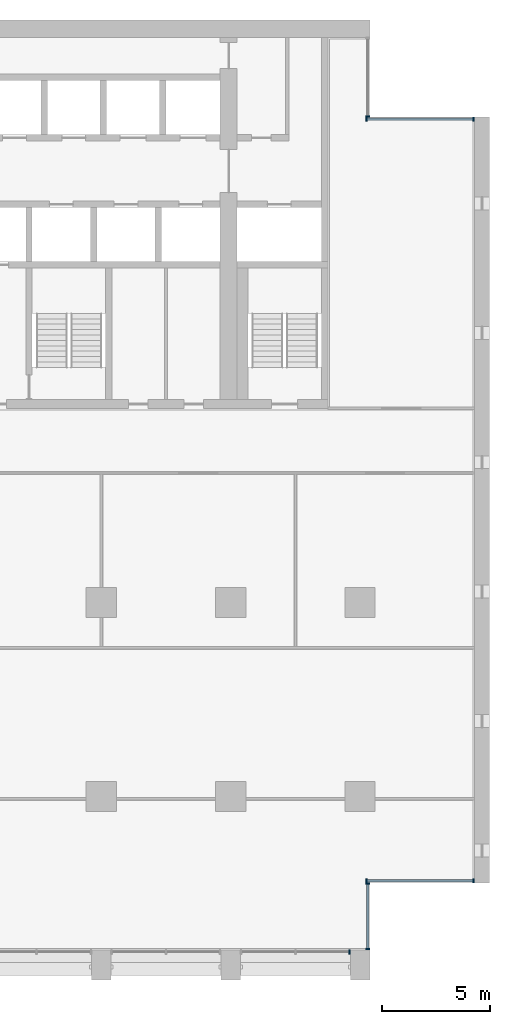
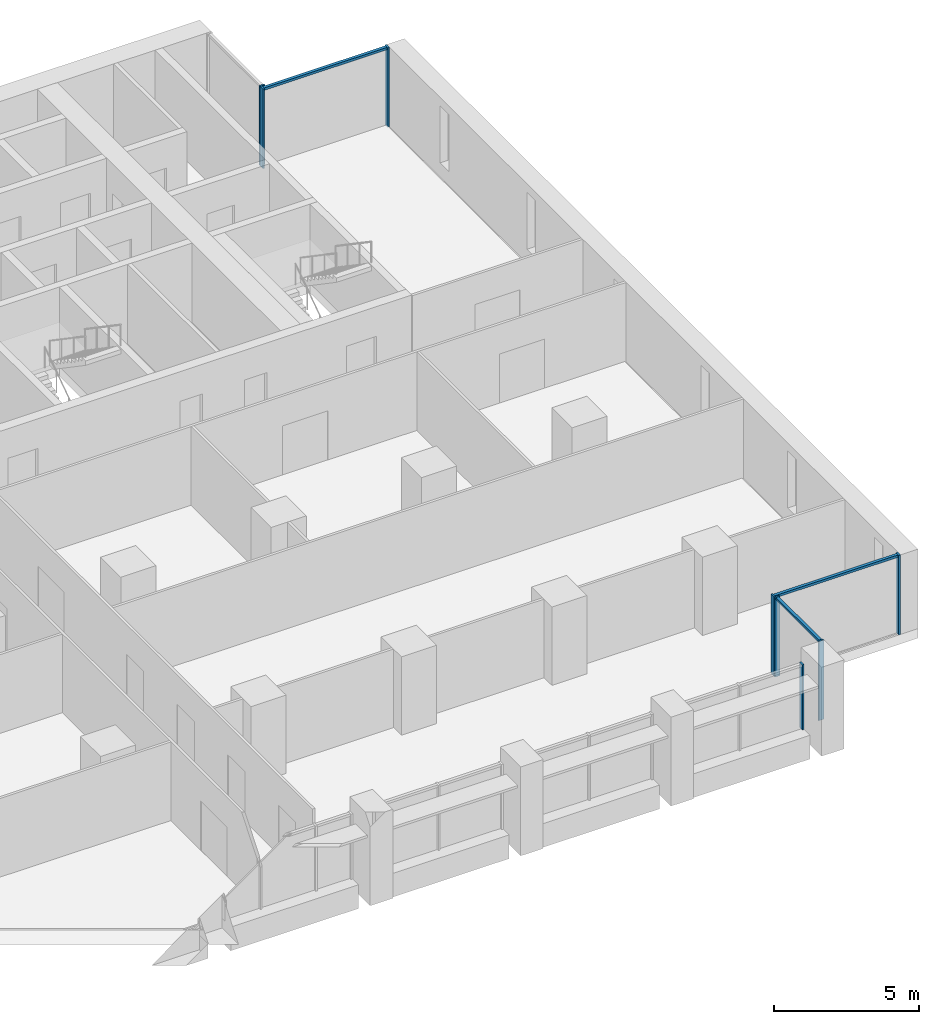
# One storey, part 5 of 17: 11 members, 5 elements without a shape of their own.
"""IFC4 building model written with IfcOpenShell, lengths in metres."""

import ifcopenshell
import ifcopenshell.guid

model = None  # the IFC model being written
_history = None  # IfcOwnerHistory: only IFC2X3 demands one
_inside = {}  # id of a spatial element -> (the spatial element, [elements in it])
_under = {}  # id of a project, library or spatial element -> (it, [spatial elements below it])
_declared = {}  # id of a project -> (the project, [libraries it declares])
_typed = {}  # id of a type object -> (the type object, [elements of that type])
_made_of = {}  # id of a material, layer set ... -> (it, [elements and type objects made of it])


def new_model(schema):
    """Start an empty IFC model of exactly this schema.

    Asked for "IFC4X3", IfcOpenShell would pick the latest addendum, in which some entities
    have other attributes; the version numbers below select the first issue.
    IFC2X3 requires an IfcOwnerHistory on every rooted entity: one is made here for all.
    """
    global model, _history
    if schema == "IFC4X3":
        model = ifcopenshell.file(schema_version=(4, 3, 0, 0))
    else:
        model = ifcopenshell.file(schema=schema)
    _inside.clear()
    _under.clear()
    _declared.clear()
    _typed.clear()
    _made_of.clear()
    _history = None
    if model.schema == "IFC2X3":
        org = make("IfcOrganization", Name="unknown")
        user = make(
            "IfcPersonAndOrganization",
            ThePerson=make("IfcPerson", FamilyName="unknown"),
            TheOrganization=org,
        )
        app = make(
            "IfcApplication",
            ApplicationDeveloper=org,
            Version="unknown",
            ApplicationFullName="unknown",
            ApplicationIdentifier="unknown",
        )
        _history = make(
            "IfcOwnerHistory",
            OwningUser=user,
            OwningApplication=app,
            ChangeAction="ADDED",
            CreationDate=0,
        )
    return model


def make(cls, **values):
    """One entity of the class cls with the attributes given. An attribute that is None is left unset."""
    return model.create_entity(
        cls, **{name: value for name, value in values.items() if value is not None}
    )


def rooted(cls, **values):
    """An entity with a GlobalId (a new one), such as an element, a storey or a relation."""
    return make(cls, GlobalId=ifcopenshell.guid.new(), OwnerHistory=_history, **values)


def si_unit(unit_type, name, prefix=None):
    """IfcSIUnit, for example si_unit("LENGTHUNIT", "METRE", prefix="MILLI")."""
    return make("IfcSIUnit", UnitType=unit_type, Prefix=prefix, Name=name)


def assignment(units):
    """IfcUnitAssignment: the units of a project."""
    return None if units is None else make("IfcUnitAssignment", Units=units)


def point(xyz):
    """IfcCartesianPoint."""
    return None if xyz is None else make("IfcCartesianPoint", Coordinates=xyz)


def direction(xyz):
    """IfcDirection."""
    return None if xyz is None else make("IfcDirection", DirectionRatios=xyz)


def frame(location, z_axis=None, x_axis=None):
    """IfcAxis2Placement3D, a coordinate frame: its origin and axes. An axis left out is left unset."""
    return make(
        "IfcAxis2Placement3D",
        Location=point(location),
        Axis=direction(z_axis),
        RefDirection=direction(x_axis),
    )


def frame_2d(location, x_axis=None):
    """IfcAxis2Placement2D, a coordinate frame in the plane: its origin and x axis."""
    return make(
        "IfcAxis2Placement2D", Location=point(location), RefDirection=direction(x_axis)
    )


def origin():
    """The frame at (0, 0, 0) with its axes left unset."""
    return frame((0.0, 0.0, 0.0))


def origin_2d():
    """The frame at (0, 0) in the plane with its x axis left unset."""
    return frame_2d((0.0, 0.0))


def place(relative_to, where):
    """IfcLocalPlacement: puts the frame where relative to a parent placement (None: the world)."""
    return make(
        "IfcLocalPlacement", PlacementRelTo=relative_to, RelativePlacement=where
    )


def context(
    kind, dimensions, precision=None, world=None, true_north=None, identifier=None
):
    """IfcGeometricRepresentationContext, for example the 3D "Model" context."""
    return make(
        "IfcGeometricRepresentationContext",
        ContextIdentifier=identifier,
        ContextType=kind,
        CoordinateSpaceDimension=dimensions,
        Precision=precision,
        WorldCoordinateSystem=world,
        TrueNorth=true_north,
    )


def subcontext(parent, identifier, kind, view, scale=None):
    """IfcGeometricRepresentationSubContext, for example "Body" below "Model"."""
    return make(
        "IfcGeometricRepresentationSubContext",
        ContextIdentifier=identifier,
        ContextType=kind,
        ParentContext=parent,
        TargetScale=scale,
        TargetView=view,
    )


def project(units=None, contexts=None):
    """IfcProject with its units and contexts."""
    return rooted(
        "IfcProject",
        Name="project",
        RepresentationContexts=contexts,
        UnitsInContext=assignment(units),
    )


def spatial(cls, under=None, at=None, **own):
    """A site, building, storey or space (cls), placed at a placement, below another one or the project."""
    s = rooted(cls, ObjectPlacement=at, **own)
    if under is not None:
        _under.setdefault(under.id(), (under, []))[1].append(s)
    return s


def profile(cls, at=None, kind="AREA", **sizes):
    """A parametric profile (cls). Its sizes go by their IFC names, for example OverallWidth=200.0."""
    return make(cls, ProfileType=kind, Position=at, **sizes)


def rectangle(**sizes):
    """IfcRectangleProfileDef."""
    return profile("IfcRectangleProfileDef", **sizes)


def extrude(swept, where, along, depth):
    """IfcExtrudedAreaSolid: the profile swept, set in the frame where, extruded along a direction by depth."""
    return make(
        "IfcExtrudedAreaSolid",
        SweptArea=swept,
        Position=where,
        ExtrudedDirection=direction(along),
        Depth=depth,
    )


def shape(context_of_items, identifier, shape_type, items):
    """IfcShapeRepresentation: the items that make up one representation, for example the "Body"."""
    return make(
        "IfcShapeRepresentation",
        ContextOfItems=context_of_items,
        RepresentationIdentifier=identifier,
        RepresentationType=shape_type,
        Items=items,
    )


def material(Name=None, Category=None):
    """IfcMaterial."""
    return make("IfcMaterial", Name=Name, Category=Category)


def material_profile(
    of_material, cross_section, Name=None, Category=None, Priority=None
):
    """IfcMaterialProfile: a cross section and its material."""
    return make(
        "IfcMaterialProfile",
        Name=Name,
        Material=of_material,
        Profile=cross_section,
        Priority=Priority,
        Category=Category,
    )


def profile_set(profiles, Name=None, composite=None):
    """IfcMaterialProfileSet."""
    return make(
        "IfcMaterialProfileSet",
        Name=Name,
        MaterialProfiles=profiles,
        CompositeProfile=composite,
    )


def made_of(thing, what):
    """Note that an element or type object is made of a material, layer set ...; save() writes the relation."""
    if what is not None:
        _made_of.setdefault(what.id(), (what, []))[1].append(thing)
    return thing


def type_object(cls, material=None, **own):
    """A type object (cls), such as IfcWallType, which elements share."""
    return made_of(rooted(cls, **own), material)


def element(
    cls,
    number,
    at=None,
    inside=None,
    cuts=None,
    type_object=None,
    material=None,
    context=None,
    identifier="Body",
    shape_type=None,
    held_by="IfcProductDefinitionShape",
    body=None,
    shapes=None,
    **own,
):
    """One element of the class cls, such as IfcWall. Its Tag is "e" and its number.

    at: its placement. inside: the storey or other place that contains it. cuts: it is an
    opening in that element (IfcRelVoidsElement). A single representation is given by context,
    identifier, shape_type and body (its items); several are given by shapes. held_by: the class
    of the entity that holds the representations. save() writes the other relations.
    """
    e = rooted(cls, Tag="e%d" % number, ObjectPlacement=at, **own)
    if body is not None:
        shapes = [shape(context, identifier, shape_type, body)]
    if shapes is not None:
        e.Representation = make(held_by, Representations=shapes)
    if inside is not None:
        _inside.setdefault(inside.id(), (inside, []))[1].append(e)
    if cuts is not None:
        rooted(
            "IfcRelVoidsElement", RelatingBuildingElement=cuts, RelatedOpeningElement=e
        )
    if type_object is not None:
        _typed.setdefault(type_object.id(), (type_object, []))[1].append(e)
    return made_of(e, material)


def aggregate(whole, parts):
    """IfcRelAggregates: a whole, such as a stair, and the parts it consists of."""
    return rooted("IfcRelAggregates", RelatingObject=whole, RelatedObjects=parts)


def save(model, path):
    """Write the relations noted so far, then the file.

    IfcRelAggregates (storeys below a building ...), IfcRelContainedInSpatialStructure (elements
    in a storey), IfcRelDefinesByType, IfcRelAssociatesMaterial and IfcRelDeclares: one each for
    every whole, place, type object, material and project.
    """
    for whole, parts in _under.values():
        aggregate(whole, parts)
    for where, things in _inside.values():
        rooted(
            "IfcRelContainedInSpatialStructure",
            RelatedElements=things,
            RelatingStructure=where,
        )
    for kind, things in _typed.values():
        rooted("IfcRelDefinesByType", RelatedObjects=things, RelatingType=kind)
    for what, things in _made_of.values():
        rooted("IfcRelAssociatesMaterial", RelatedObjects=things, RelatingMaterial=what)
    for by, libraries in _declared.values():
        rooted("IfcRelDeclares", RelatingContext=by, RelatedDefinitions=libraries)
    model.write(path)


model = new_model("IFC4")

# Units and contexts
model_context = context("Model", 3, precision=1e-05, world=origin(), true_north=direction((0.0, 1.0)))
body_context = subcontext(model_context, "Body", "Model", "MODEL_VIEW")
ifc_project = project(units=[si_unit("LENGTHUNIT", "METRE"), si_unit("AREAUNIT", "SQUARE_METRE"), si_unit("VOLUMEUNIT", "CUBIC_METRE"), si_unit("PLANEANGLEUNIT", "RADIAN"), si_unit("MASSUNIT", "GRAM", prefix="KILO")], contexts=[model_context])

# Site, building, storey
site_placement = place(None, origin())
site = spatial("IfcSite", under=ifc_project, at=site_placement, CompositionType="ELEMENT")
building_placement = place(site_placement, origin())
building = spatial("IfcBuilding", under=site, at=building_placement, Name="Calvaro Tower", CompositionType="ELEMENT")
storey_placement = place(building_placement, frame((0.0, 0.0, 102.5)))
storey = spatial("IfcBuildingStorey", under=building, at=storey_placement, Name="L25", CompositionType="ELEMENT", Elevation=102.5)

# Curtain wall, member
ifc_material_1 = material(Name="Anodised aluminium", Category="aluminium")
curtain_wall_type = type_object("IfcCurtainWallType", Name="Office curtain wall, middle zone", PredefinedType="NOTDEFINED", material=ifc_material_1)
curtain_wall_1_placement = place(storey_placement, origin())
curtain_wall_1 = element("IfcCurtainWall", 1, at=curtain_wall_1_placement, inside=storey, type_object=curtain_wall_type, Name="CW2 south curtain wall", PredefinedType="NOTDEFINED")
ifc_material_2 = material(Name="Anodised aluminium", Category="aluminium")
ifc_material_profile_1 = material_profile(ifc_material_2, rectangle(XDim=0.199951171875, YDim=0.070068359375, at=origin_2d()), Name="Mullion S2 70 x 200")
ifc_profile_set_1 = profile_set([ifc_material_profile_1], Name="Anodised aluminium")
member_type_1 = type_object("IfcMemberType", Name="Mullion S2 70 x 200", PredefinedType="MULLION", material=ifc_profile_set_1)
member_1_placement = place(storey_placement, frame((65.514892578125, 2.800048828125, 0.0), z_axis=(0.0, 0.0, 1.0), x_axis=(0.0, 1.0, 0.0)))
member_1 = element("IfcMember", 2, at=member_1_placement, type_object=member_type_1, Name="CW2 mullion 3", PredefinedType="MULLION", context=body_context, shape_type="SweptSolid", body=[
    extrude(rectangle(XDim=0.199951171875, YDim=0.070068359375, at=origin_2d()), origin(), (0.0, 0.0, 1.0), 2.75),
])
aggregate(curtain_wall_1, [member_1])

# Curtain wall, members
curtain_wall_2_placement = place(storey_placement, origin())
curtain_wall_2 = element("IfcCurtainWall", 3, at=curtain_wall_2_placement, inside=storey, type_object=curtain_wall_type, Name="CW2 corner curtain wall", PredefinedType="NOTDEFINED")
member_2_placement = place(storey_placement, frame((66.35009765625, 2.93505859375, 0.0), z_axis=(0.0, 0.0, 1.0), x_axis=(-1.0, 0.0, 0.0)))
member_2 = element("IfcMember", 4, at=member_2_placement, type_object=member_type_1, Name="CW2 mullion 1", PredefinedType="MULLION", context=body_context, shape_type="SweptSolid", body=[
    extrude(rectangle(XDim=0.199951171875, YDim=0.070068359375, at=origin_2d()), origin(), (0.0, 0.0, 1.0), 3.35009765625),
])
member_3_placement = place(storey_placement, frame((66.35009765625, 5.965087890625, 0.0), z_axis=(0.0, 0.0, 1.0), x_axis=(-1.0, 0.0, 0.0)))
member_3 = element("IfcMember", 5, at=member_3_placement, type_object=member_type_1, Name="CW2 mullion 2", PredefinedType="MULLION", context=body_context, shape_type="SweptSolid", body=[
    extrude(rectangle(XDim=0.199951171875, YDim=0.070068359375, at=origin_2d()), origin(), (0.0, 0.0, 1.0), 3.35009765625),
])

curtain_wall_3_placement = place(storey_placement, origin())
curtain_wall_3 = element("IfcCurtainWall", 6, at=curtain_wall_3_placement, inside=storey, type_object=curtain_wall_type, Name="CW2 corner curtain wall", PredefinedType="NOTDEFINED")
member_4_placement = place(storey_placement, frame((66.284912109375, 6.10009765625, 0.0), z_axis=(0.0, 0.0, 1.0), x_axis=(0.0, 1.0, 0.0)))
member_4 = element("IfcMember", 7, at=member_4_placement, type_object=member_type_1, Name="CW2 mullion 1", PredefinedType="MULLION", context=body_context, shape_type="SweptSolid", body=[
    extrude(rectangle(XDim=0.199951171875, YDim=0.070068359375, at=origin_2d()), origin(), (0.0, 0.0, 1.0), 3.35009765625),
])
member_5_placement = place(storey_placement, frame((71.264892578125, 6.10009765625, 0.0), z_axis=(0.0, 0.0, 1.0), x_axis=(0.0, 1.0, 0.0)))
member_5 = element("IfcMember", 8, at=member_5_placement, type_object=member_type_1, Name="CW2 mullion 2", PredefinedType="MULLION", context=body_context, shape_type="SweptSolid", body=[
    extrude(rectangle(XDim=0.199951171875, YDim=0.070068359375, at=origin_2d()), origin(), (0.0, 0.0, 1.0), 3.35009765625),
])

# Curtain wall, member
curtain_wall_4_placement = place(storey_placement, origin())
curtain_wall_4 = element("IfcCurtainWall", 9, at=curtain_wall_4_placement, inside=storey, type_object=curtain_wall_type, Name="CW2 corner curtain wall", PredefinedType="NOTDEFINED")
member_6_placement = place(storey_placement, frame((66.35009765625, 41.534912109375, 0.0), z_axis=(0.0, 0.0, 1.0), x_axis=(-1.0, 0.0, 0.0)))
member_6 = element("IfcMember", 10, at=member_6_placement, type_object=member_type_1, Name="CW2 mullion 1", PredefinedType="MULLION", context=body_context, shape_type="SweptSolid", body=[
    extrude(rectangle(XDim=0.199951171875, YDim=0.070068359375, at=origin_2d()), origin(), (0.0, 0.0, 1.0), 3.35009765625),
])
aggregate(curtain_wall_4, [member_6])

# Curtain wall, members
curtain_wall_5_placement = place(storey_placement, origin())
curtain_wall_5 = element("IfcCurtainWall", 11, at=curtain_wall_5_placement, inside=storey, type_object=curtain_wall_type, Name="CW2 corner curtain wall", PredefinedType="NOTDEFINED")
member_7_placement = place(storey_placement, frame((66.284912109375, 41.39990234375, 0.0), z_axis=(0.0, 0.0, 1.0), x_axis=(0.0, 1.0, 0.0)))
member_7 = element("IfcMember", 12, at=member_7_placement, type_object=member_type_1, Name="CW2 mullion 1", PredefinedType="MULLION", context=body_context, shape_type="SweptSolid", body=[
    extrude(rectangle(XDim=0.199951171875, YDim=0.070068359375, at=origin_2d()), origin(), (0.0, 0.0, 1.0), 3.35009765625),
])
member_8_placement = place(storey_placement, frame((71.264892578125, 41.39990234375, 0.0), z_axis=(0.0, 0.0, 1.0), x_axis=(0.0, 1.0, 0.0)))
member_8 = element("IfcMember", 13, at=member_8_placement, type_object=member_type_1, Name="CW2 mullion 2", PredefinedType="MULLION", context=body_context, shape_type="SweptSolid", body=[
    extrude(rectangle(XDim=0.199951171875, YDim=0.070068359375, at=origin_2d()), origin(), (0.0, 0.0, 1.0), 3.35009765625),
])

# Member
ifc_material_3 = material(Name="Anodised aluminium", Category="aluminium")
ifc_material_profile_2 = material_profile(ifc_material_3, rectangle(XDim=0.1201171875, YDim=0.10009765625, at=origin_2d()), Name="Transom S2 100 x 120")
ifc_profile_set_2 = profile_set([ifc_material_profile_2], Name="Anodised aluminium")
member_type_2 = type_object("IfcMemberType", Name="Transom S2 100 x 120", PredefinedType="USERDEFINED", material=ifc_profile_set_2)
member_9_placement = place(storey_placement, frame((66.35009765625, 2.969970703125, 3.300048828125), z_axis=(0.0, 1.0, 0.0), x_axis=(-1.0, 0.0, 0.0)))
member_9 = element("IfcMember", 14, at=member_9_placement, type_object=member_type_2, Name="CW2 transom 1.1", ObjectType="TRANSOM", PredefinedType="USERDEFINED", context=body_context, shape_type="SweptSolid", body=[
    extrude(rectangle(XDim=0.1201171875, YDim=0.10009765625, at=origin_2d()), origin(), (0.0, 0.0, 1.0), 2.9599609375),
])

aggregate(curtain_wall_2, [member_2, member_3, member_9])

member_10_placement = place(storey_placement, frame((66.320068359375, 6.10009765625, 3.300048828125), z_axis=(1.0, 0.0, 0.0), x_axis=(0.0, 1.0, 0.0)))
member_10 = element("IfcMember", 15, at=member_10_placement, type_object=member_type_2, Name="CW2 transom 1.1", ObjectType="TRANSOM", PredefinedType="USERDEFINED", context=body_context, shape_type="SweptSolid", body=[
    extrude(rectangle(XDim=0.1201171875, YDim=0.10009765625, at=origin_2d()), origin(), (0.0, 0.0, 1.0), 4.909912109375),
])

aggregate(curtain_wall_3, [member_4, member_5, member_10])

member_11_placement = place(storey_placement, frame((66.320068359375, 41.39990234375, 3.300048828125), z_axis=(1.0, 0.0, 0.0), x_axis=(0.0, 1.0, 0.0)))
member_11 = element("IfcMember", 16, at=member_11_placement, type_object=member_type_2, Name="CW2 transom 1.1", ObjectType="TRANSOM", PredefinedType="USERDEFINED", context=body_context, shape_type="SweptSolid", body=[
    extrude(rectangle(XDim=0.1201171875, YDim=0.10009765625, at=origin_2d()), origin(), (0.0, 0.0, 1.0), 4.909912109375),
])

aggregate(curtain_wall_5, [member_7, member_8, member_11])

save(model, "model.ifc")
